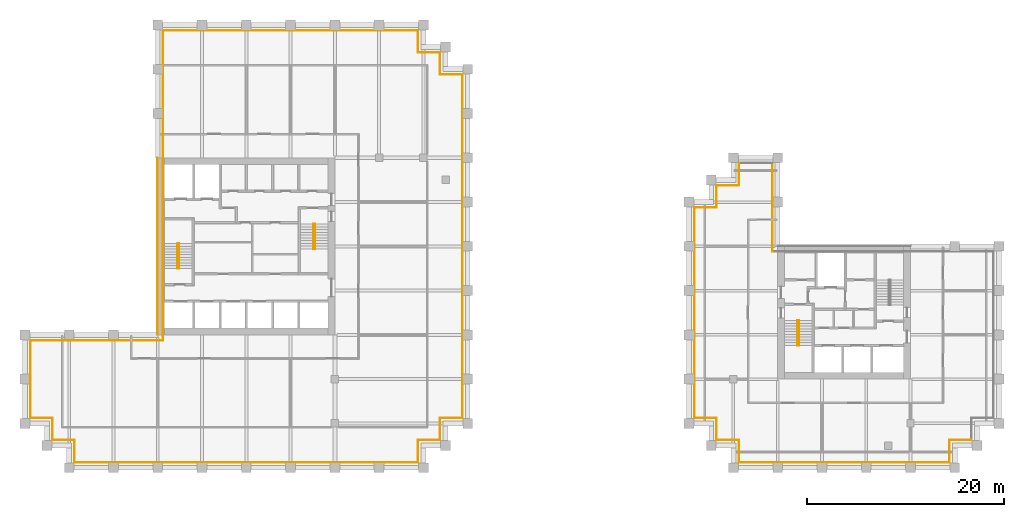
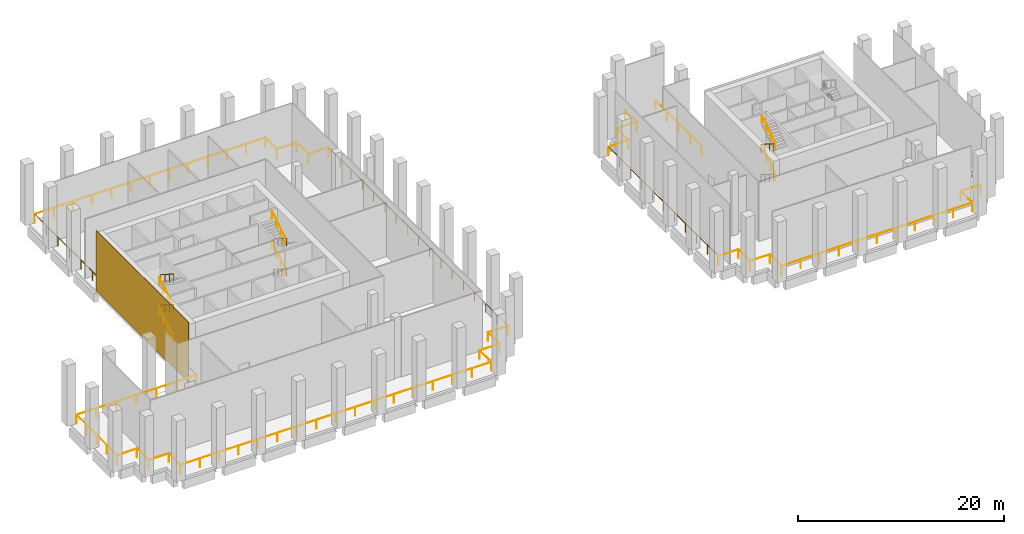
# One storey, part 8 of 9: 43 railings, 1 covering.
"""IFC4 building model written with IfcOpenShell, lengths in metres."""

from ifc_helpers import new_model, si_unit, direction, frame, origin, origin_2d, place, context, subcontext, project, spatial, rectangle, circle, extrude, source, transform, mapped, material, layer, layer_set, type_object, element, save


model = new_model("IFC4")

# Units and contexts
model_context = context("Model", 3, precision=1e-05, world=origin(), true_north=direction((0.0, 1.0)))
body_context = subcontext(model_context, "Body", "Model", "MODEL_VIEW")
ifc_project = project(units=[si_unit("LENGTHUNIT", "METRE"), si_unit("AREAUNIT", "SQUARE_METRE"), si_unit("VOLUMEUNIT", "CUBIC_METRE"), si_unit("PLANEANGLEUNIT", "RADIAN"), si_unit("MASSUNIT", "GRAM", prefix="KILO")], contexts=[model_context])

# Site, building, storey
site_placement = place(None, origin())
site = spatial("IfcSite", under=ifc_project, at=site_placement, CompositionType="ELEMENT")
building_placement = place(site_placement, origin())
building = spatial("IfcBuilding", under=site, at=building_placement, Name="Altepetl Exchange Towers", CompositionType="ELEMENT")
storey_placement = place(building_placement, frame((0.0, 0.0, 113.60009765625)))
storey = spatial("IfcBuildingStorey", under=building, at=storey_placement, Name="L28 Wind floor plant", CompositionType="ELEMENT", Elevation=113.60009765625)

# Covering
ifc_material_1 = material(Name="Cantera limestone cladding", Category="masonry")
ifc_layer = layer(ifc_material_1, 0.0400390625)
ifc_layer_set = layer_set([ifc_layer], Name="Cantera limestone cladding")
covering_type = type_object("IfcCoveringType", Name="Stone panel 40 cantera", PredefinedType="CLADDING", material=ifc_layer_set)
covering_placement = place(storey_placement, frame((40.47998046875, 49.5, 0.0), z_axis=(0.0, 0.0, 1.0), x_axis=(0.0, -1.0, 0.0)))
element("IfcCovering", 1, at=covering_placement, inside=storey, type_object=covering_type, Name="Stone cladding panel", PredefinedType="CLADDING", context=body_context, shape_type="SweptSolid", body=[
    extrude(rectangle(XDim=18.0, YDim=0.0400390625, at=origin_2d()), origin(), (0.0, 0.0, 1.0), 7.199951171875),
])

# Railings
ifc_material_2 = material(Name="Steel S355", Category="steel")
railing_type_1 = type_object("IfcRailingType", Name="Guard 1100 steel posts and rail", PredefinedType="GUARDRAIL", material=ifc_material_2)
shared_shape_1 = source(origin(), body_context, "Body", "SweptSolid", [
    extrude(circle(Radius=0.02099609375, at=origin_2d()), origin(), (0.0, 0.0, 1.0), 1.052001953125),
])
railing_1_placement = place(storey_placement, frame((41.050048828125, 39.949951171875, 0.0)))
element("IfcRailing", 2, at=railing_1_placement, inside=storey, type_object=railing_type_1, Name="Edge guard", PredefinedType="GUARDRAIL", context=body_context, shape_type="SweptSolid", body=[
    extrude(circle(Radius=0.02392578125, at=origin_2d()), frame((0.0, 0.0, 1.076171875), z_axis=(-1.0, 0.0, 0.0), x_axis=(0.0, -1.0, 0.0)), (0.0, 0.0, 1.0), 13.5),
    mapped(shared_shape_1, transform((0.0, 0.0, 0.0))),
    mapped(shared_shape_1, transform((-2.25, 0.0, 0.0))),
    mapped(shared_shape_1, transform((-4.5, 0.0, 0.0))),
    mapped(shared_shape_1, transform((-6.75, 0.0, 0.0))),
    mapped(shared_shape_1, transform((-9.0, 0.0, 0.0))),
    mapped(shared_shape_1, transform((-11.25, 0.0, 0.0))),
    mapped(shared_shape_1, transform((-13.5, 0.0, 0.0))),
])
railing_2_placement = place(storey_placement, frame((27.550048828125, 39.949951171875, 0.0)))
element("IfcRailing", 3, at=railing_2_placement, inside=storey, type_object=railing_type_1, Name="Edge guard", PredefinedType="GUARDRAIL", context=body_context, shape_type="SweptSolid", body=[
    extrude(circle(Radius=0.02392578125, at=origin_2d()), frame((0.0, 0.0, 1.076171875), z_axis=(0.0, -1.0, 0.0), x_axis=(1.0, 0.0, 0.0)), (0.0, 0.0, 1.0), 7.89990234375),
    mapped(shared_shape_1, transform((0.0, 0.0, 0.0))),
    mapped(shared_shape_1, transform((0.0, -1.97509765625, 0.0))),
    mapped(shared_shape_1, transform((0.0, -3.949951171875, 0.0))),
    mapped(shared_shape_1, transform((0.0, -5.9248046875, 0.0))),
    mapped(shared_shape_1, transform((0.0, -7.89990234375, 0.0))),
])
railing_3_placement = place(storey_placement, frame((27.550048828125, 32.050048828125, 0.0)))
element("IfcRailing", 4, at=railing_3_placement, inside=storey, type_object=railing_type_1, Name="Edge guard", PredefinedType="GUARDRAIL", context=body_context, shape_type="SweptSolid", body=[
    extrude(circle(Radius=0.02392578125, at=origin_2d()), frame((0.0, 0.0, 1.076171875), z_axis=(1.0, 0.0, 0.0), x_axis=(0.0, 1.0, 0.0)), (0.0, 0.0, 1.0), 2.25),
    mapped(shared_shape_1, transform((0.0, 0.0, 0.0))),
    mapped(shared_shape_1, transform((2.25, 0.0, 0.0))),
])
railing_4_placement = place(storey_placement, frame((29.800048828125, 32.050048828125, 0.0)))
element("IfcRailing", 5, at=railing_4_placement, inside=storey, type_object=railing_type_1, Name="Edge guard", PredefinedType="GUARDRAIL", context=body_context, shape_type="SweptSolid", body=[
    extrude(circle(Radius=0.02392578125, at=origin_2d()), frame((0.0, 0.0, 1.076171875), z_axis=(0.0, -1.0, 0.0), x_axis=(1.0, 0.0, 0.0)), (0.0, 0.0, 1.0), 2.25),
    mapped(shared_shape_1, transform((0.0, 0.0, 0.0))),
    mapped(shared_shape_1, transform((0.0, -2.25, 0.0))),
])
railing_5_placement = place(storey_placement, frame((29.800048828125, 29.800048828125, 0.0)))
element("IfcRailing", 6, at=railing_5_placement, inside=storey, type_object=railing_type_1, Name="Edge guard", PredefinedType="GUARDRAIL", context=body_context, shape_type="SweptSolid", body=[
    extrude(circle(Radius=0.02392578125, at=origin_2d()), frame((0.0, 0.0, 1.076171875), z_axis=(1.0, 0.0, 0.0), x_axis=(0.0, 1.0, 0.0)), (0.0, 0.0, 1.0), 2.25),
    mapped(shared_shape_1, transform((0.0, 0.0, 0.0))),
    mapped(shared_shape_1, transform((2.25, 0.0, 0.0))),
])
railing_6_placement = place(storey_placement, frame((32.050048828125, 29.800048828125, 0.0)))
element("IfcRailing", 7, at=railing_6_placement, inside=storey, type_object=railing_type_1, Name="Edge guard", PredefinedType="GUARDRAIL", context=body_context, shape_type="SweptSolid", body=[
    extrude(circle(Radius=0.02392578125, at=origin_2d()), frame((0.0, 0.0, 1.076171875), z_axis=(0.0, -1.0, 0.0), x_axis=(1.0, 0.0, 0.0)), (0.0, 0.0, 1.0), 2.25),
    mapped(shared_shape_1, transform((0.0, 0.0, 0.0))),
    mapped(shared_shape_1, transform((0.0, -2.25, 0.0))),
])
railing_7_placement = place(storey_placement, frame((32.050048828125, 27.550048828125, 0.0)))
element("IfcRailing", 8, at=railing_7_placement, inside=storey, type_object=railing_type_1, Name="Edge guard", PredefinedType="GUARDRAIL", context=body_context, shape_type="SweptSolid", body=[
    extrude(circle(Radius=0.02392578125, at=origin_2d()), frame((0.0, 0.0, 1.076171875), z_axis=(1.0, 0.0, 0.0), x_axis=(0.0, 1.0, 0.0)), (0.0, 0.0, 1.0), 34.89990234375),
    mapped(shared_shape_1, transform((0.0, 0.0, 0.0))),
    mapped(shared_shape_1, transform((2.18115234375, 0.0, 0.0))),
    mapped(shared_shape_1, transform((4.362548828125, 0.0, 0.0))),
    mapped(shared_shape_1, transform((6.543701171875, 0.0, 0.0))),
    mapped(shared_shape_1, transform((8.72509765625, 0.0, 0.0))),
    mapped(shared_shape_1, transform((10.90625, 0.0, 0.0))),
    mapped(shared_shape_1, transform((13.08740234375, 0.0, 0.0))),
    mapped(shared_shape_1, transform((15.268798828125, 0.0, 0.0))),
    mapped(shared_shape_1, transform((17.449951171875, 0.0, 0.0))),
    mapped(shared_shape_1, transform((19.631103515625, 0.0, 0.0))),
    mapped(shared_shape_1, transform((21.8125, 0.0, 0.0))),
    mapped(shared_shape_1, transform((23.99365234375, 0.0, 0.0))),
    mapped(shared_shape_1, transform((26.1748046875, 0.0, 0.0))),
    mapped(shared_shape_1, transform((28.356201171875, 0.0, 0.0))),
    mapped(shared_shape_1, transform((30.537353515625, 0.0, 0.0))),
    mapped(shared_shape_1, transform((32.71875, 0.0, 0.0))),
    mapped(shared_shape_1, transform((34.89990234375, 0.0, 0.0))),
])
railing_8_placement = place(storey_placement, frame((66.949951171875, 27.550048828125, 0.0)))
element("IfcRailing", 9, at=railing_8_placement, inside=storey, type_object=railing_type_1, Name="Edge guard", PredefinedType="GUARDRAIL", context=body_context, shape_type="SweptSolid", body=[
    extrude(circle(Radius=0.02392578125, at=origin_2d()), frame((0.0, 0.0, 1.076171875), z_axis=(0.0, 1.0, 0.0), x_axis=(-1.0, 0.0, 0.0)), (0.0, 0.0, 1.0), 2.25),
    mapped(shared_shape_1, transform((0.0, 0.0, 0.0))),
    mapped(shared_shape_1, transform((0.0, 2.25, 0.0))),
])
railing_9_placement = place(storey_placement, frame((66.949951171875, 29.800048828125, 0.0)))
element("IfcRailing", 10, at=railing_9_placement, inside=storey, type_object=railing_type_1, Name="Edge guard", PredefinedType="GUARDRAIL", context=body_context, shape_type="SweptSolid", body=[
    extrude(circle(Radius=0.02392578125, at=origin_2d()), frame((0.0, 0.0, 1.076171875), z_axis=(1.0, 0.0, 0.0), x_axis=(0.0, 1.0, 0.0)), (0.0, 0.0, 1.0), 2.25),
    mapped(shared_shape_1, transform((0.0, 0.0, 0.0))),
    mapped(shared_shape_1, transform((2.25, 0.0, 0.0))),
])
railing_10_placement = place(storey_placement, frame((69.199951171875, 29.800048828125, 0.0)))
element("IfcRailing", 11, at=railing_10_placement, inside=storey, type_object=railing_type_1, Name="Edge guard", PredefinedType="GUARDRAIL", context=body_context, shape_type="SweptSolid", body=[
    extrude(circle(Radius=0.02392578125, at=origin_2d()), frame((0.0, 0.0, 1.076171875), z_axis=(0.0, 1.0, 0.0), x_axis=(-1.0, 0.0, 0.0)), (0.0, 0.0, 1.0), 2.25),
    mapped(shared_shape_1, transform((0.0, 0.0, 0.0))),
    mapped(shared_shape_1, transform((0.0, 2.25, 0.0))),
])
railing_11_placement = place(storey_placement, frame((69.199951171875, 32.050048828125, 0.0)))
element("IfcRailing", 12, at=railing_11_placement, inside=storey, type_object=railing_type_1, Name="Edge guard", PredefinedType="GUARDRAIL", context=body_context, shape_type="SweptSolid", body=[
    extrude(circle(Radius=0.02392578125, at=origin_2d()), frame((0.0, 0.0, 1.076171875), z_axis=(1.0, 0.0, 0.0), x_axis=(0.0, 1.0, 0.0)), (0.0, 0.0, 1.0), 2.25),
    mapped(shared_shape_1, transform((0.0, 0.0, 0.0))),
    mapped(shared_shape_1, transform((2.25, 0.0, 0.0))),
])
railing_12_placement = place(storey_placement, frame((71.449951171875, 32.050048828125, 0.0)))
element("IfcRailing", 13, at=railing_12_placement, inside=storey, type_object=railing_type_1, Name="Edge guard", PredefinedType="GUARDRAIL", context=body_context, shape_type="SweptSolid", body=[
    extrude(circle(Radius=0.02392578125, at=origin_2d()), frame((0.0, 0.0, 1.076171875), z_axis=(0.0, 1.0, 0.0), x_axis=(-1.0, 0.0, 0.0)), (0.0, 0.0, 1.0), 34.89990234375),
    mapped(shared_shape_1, transform((0.0, 0.0, 0.0))),
    mapped(shared_shape_1, transform((0.0, 2.18115234375, 0.0))),
    mapped(shared_shape_1, transform((0.0, 4.362548828125, 0.0))),
    mapped(shared_shape_1, transform((0.0, 6.543701171875, 0.0))),
    mapped(shared_shape_1, transform((0.0, 8.72509765625, 0.0))),
    mapped(shared_shape_1, transform((0.0, 10.90625, 0.0))),
    mapped(shared_shape_1, transform((0.0, 13.08740234375, 0.0))),
    mapped(shared_shape_1, transform((0.0, 15.268798828125, 0.0))),
    mapped(shared_shape_1, transform((0.0, 17.449951171875, 0.0))),
    mapped(shared_shape_1, transform((0.0, 19.631103515625, 0.0))),
    mapped(shared_shape_1, transform((0.0, 21.8125, 0.0))),
    mapped(shared_shape_1, transform((0.0, 23.99365234375, 0.0))),
    mapped(shared_shape_1, transform((0.0, 26.1748046875, 0.0))),
    mapped(shared_shape_1, transform((0.0, 28.356201171875, 0.0))),
    mapped(shared_shape_1, transform((0.0, 30.537353515625, 0.0))),
    mapped(shared_shape_1, transform((0.0, 32.71875, 0.0))),
    mapped(shared_shape_1, transform((0.0, 34.89990234375, 0.0))),
])
railing_13_placement = place(storey_placement, frame((71.449951171875, 66.949951171875, 0.0)))
element("IfcRailing", 14, at=railing_13_placement, inside=storey, type_object=railing_type_1, Name="Edge guard", PredefinedType="GUARDRAIL", context=body_context, shape_type="SweptSolid", body=[
    extrude(circle(Radius=0.02392578125, at=origin_2d()), frame((0.0, 0.0, 1.076171875), z_axis=(-1.0, 0.0, 0.0), x_axis=(0.0, -1.0, 0.0)), (0.0, 0.0, 1.0), 2.25),
    mapped(shared_shape_1, transform((0.0, 0.0, 0.0))),
    mapped(shared_shape_1, transform((-2.25, 0.0, 0.0))),
])
railing_14_placement = place(storey_placement, frame((69.199951171875, 66.949951171875, 0.0)))
element("IfcRailing", 15, at=railing_14_placement, inside=storey, type_object=railing_type_1, Name="Edge guard", PredefinedType="GUARDRAIL", context=body_context, shape_type="SweptSolid", body=[
    extrude(circle(Radius=0.02392578125, at=origin_2d()), frame((0.0, 0.0, 1.076171875), z_axis=(0.0, 1.0, 0.0), x_axis=(-1.0, 0.0, 0.0)), (0.0, 0.0, 1.0), 2.25),
    mapped(shared_shape_1, transform((0.0, 0.0, 0.0))),
    mapped(shared_shape_1, transform((0.0, 2.25, 0.0))),
])
railing_15_placement = place(storey_placement, frame((69.199951171875, 69.199951171875, 0.0)))
element("IfcRailing", 16, at=railing_15_placement, inside=storey, type_object=railing_type_1, Name="Edge guard", PredefinedType="GUARDRAIL", context=body_context, shape_type="SweptSolid", body=[
    extrude(circle(Radius=0.02392578125, at=origin_2d()), frame((0.0, 0.0, 1.076171875), z_axis=(-1.0, 0.0, 0.0), x_axis=(0.0, -1.0, 0.0)), (0.0, 0.0, 1.0), 2.25),
    mapped(shared_shape_1, transform((0.0, 0.0, 0.0))),
    mapped(shared_shape_1, transform((-2.25, 0.0, 0.0))),
])
railing_16_placement = place(storey_placement, frame((66.949951171875, 69.199951171875, 0.0)))
element("IfcRailing", 17, at=railing_16_placement, inside=storey, type_object=railing_type_1, Name="Edge guard", PredefinedType="GUARDRAIL", context=body_context, shape_type="SweptSolid", body=[
    extrude(circle(Radius=0.02392578125, at=origin_2d()), frame((0.0, 0.0, 1.076171875), z_axis=(0.0, 1.0, 0.0), x_axis=(-1.0, 0.0, 0.0)), (0.0, 0.0, 1.0), 2.25),
    mapped(shared_shape_1, transform((0.0, 0.0, 0.0))),
    mapped(shared_shape_1, transform((0.0, 2.25, 0.0))),
])
railing_17_placement = place(storey_placement, frame((66.949951171875, 71.449951171875, 0.0)))
element("IfcRailing", 18, at=railing_17_placement, inside=storey, type_object=railing_type_1, Name="Edge guard", PredefinedType="GUARDRAIL", context=body_context, shape_type="SweptSolid", body=[
    extrude(circle(Radius=0.02392578125, at=origin_2d()), frame((0.0, 0.0, 1.076171875), z_axis=(-1.0, 0.0, 0.0), x_axis=(0.0, -1.0, 0.0)), (0.0, 0.0, 1.0), 25.89990234375),
    mapped(shared_shape_1, transform((0.0, 0.0, 0.0))),
    mapped(shared_shape_1, transform((-2.158203125, 0.0, 0.0))),
    mapped(shared_shape_1, transform((-4.316650390625, 0.0, 0.0))),
    mapped(shared_shape_1, transform((-6.47509765625, 0.0, 0.0))),
    mapped(shared_shape_1, transform((-8.63330078125, 0.0, 0.0))),
    mapped(shared_shape_1, transform((-10.79150390625, 0.0, 0.0))),
    mapped(shared_shape_1, transform((-12.949951171875, 0.0, 0.0))),
    mapped(shared_shape_1, transform((-15.1083984375, 0.0, 0.0))),
    mapped(shared_shape_1, transform((-17.2666015625, 0.0, 0.0))),
    mapped(shared_shape_1, transform((-19.4248046875, 0.0, 0.0))),
    mapped(shared_shape_1, transform((-21.583251953125, 0.0, 0.0))),
    mapped(shared_shape_1, transform((-23.74169921875, 0.0, 0.0))),
    mapped(shared_shape_1, transform((-25.89990234375, 0.0, 0.0))),
])
railing_18_placement = place(storey_placement, frame((41.050048828125, 71.449951171875, 0.0)))
element("IfcRailing", 19, at=railing_18_placement, inside=storey, type_object=railing_type_1, Name="Edge guard", PredefinedType="GUARDRAIL", context=body_context, shape_type="SweptSolid", body=[
    extrude(circle(Radius=0.02392578125, at=origin_2d()), frame((0.0, 0.0, 1.076171875), z_axis=(0.0, -1.0, 0.0), x_axis=(1.0, 0.0, 0.0)), (0.0, 0.0, 1.0), 31.5),
    mapped(shared_shape_1, transform((0.0, 0.0, 0.0))),
    mapped(shared_shape_1, transform((0.0, -2.25, 0.0))),
    mapped(shared_shape_1, transform((0.0, -4.5, 0.0))),
    mapped(shared_shape_1, transform((0.0, -6.75, 0.0))),
    mapped(shared_shape_1, transform((0.0, -9.0, 0.0))),
    mapped(shared_shape_1, transform((0.0, -11.25, 0.0))),
    mapped(shared_shape_1, transform((0.0, -13.5, 0.0))),
    mapped(shared_shape_1, transform((0.0, -15.75, 0.0))),
    mapped(shared_shape_1, transform((0.0, -18.0, 0.0))),
    mapped(shared_shape_1, transform((0.0, -20.25, 0.0))),
    mapped(shared_shape_1, transform((0.0, -22.5, 0.0))),
    mapped(shared_shape_1, transform((0.0, -24.75, 0.0))),
    mapped(shared_shape_1, transform((0.0, -27.0, 0.0))),
    mapped(shared_shape_1, transform((0.0, -29.25, 0.0))),
    mapped(shared_shape_1, transform((0.0, -31.5, 0.0))),
])
railing_19_placement = place(storey_placement, frame((95.050048828125, 53.449951171875, 0.0)))
element("IfcRailing", 20, at=railing_19_placement, inside=storey, type_object=railing_type_1, Name="Edge guard", PredefinedType="GUARDRAIL", context=body_context, shape_type="SweptSolid", body=[
    extrude(circle(Radius=0.02392578125, at=origin_2d()), frame((0.0, 0.0, 1.076171875), z_axis=(0.0, -1.0, 0.0), x_axis=(1.0, 0.0, 0.0)), (0.0, 0.0, 1.0), 21.39990234375),
    mapped(shared_shape_1, transform((0.0, 0.0, 0.0))),
    mapped(shared_shape_1, transform((0.0, -2.139892578125, 0.0))),
    mapped(shared_shape_1, transform((0.0, -4.280029296875, 0.0))),
    mapped(shared_shape_1, transform((0.0, -6.419921875, 0.0))),
    mapped(shared_shape_1, transform((0.0, -8.56005859375, 0.0))),
    mapped(shared_shape_1, transform((0.0, -10.699951171875, 0.0))),
    mapped(shared_shape_1, transform((0.0, -12.83984375, 0.0))),
    mapped(shared_shape_1, transform((0.0, -14.97998046875, 0.0))),
    mapped(shared_shape_1, transform((0.0, -17.119873046875, 0.0))),
    mapped(shared_shape_1, transform((0.0, -19.260009765625, 0.0))),
    mapped(shared_shape_1, transform((0.0, -21.39990234375, 0.0))),
])
railing_20_placement = place(storey_placement, frame((95.050048828125, 32.050048828125, 0.0)))
element("IfcRailing", 21, at=railing_20_placement, inside=storey, type_object=railing_type_1, Name="Edge guard", PredefinedType="GUARDRAIL", context=body_context, shape_type="SweptSolid", body=[
    extrude(circle(Radius=0.02392578125, at=origin_2d()), frame((0.0, 0.0, 1.076171875), z_axis=(1.0, 0.0, 0.0), x_axis=(0.0, 1.0, 0.0)), (0.0, 0.0, 1.0), 2.25),
    mapped(shared_shape_1, transform((0.0, 0.0, 0.0))),
    mapped(shared_shape_1, transform((2.25, 0.0, 0.0))),
])
railing_21_placement = place(storey_placement, frame((97.300048828125, 32.050048828125, 0.0)))
element("IfcRailing", 22, at=railing_21_placement, inside=storey, type_object=railing_type_1, Name="Edge guard", PredefinedType="GUARDRAIL", context=body_context, shape_type="SweptSolid", body=[
    extrude(circle(Radius=0.02392578125, at=origin_2d()), frame((0.0, 0.0, 1.076171875), z_axis=(0.0, -1.0, 0.0), x_axis=(1.0, 0.0, 0.0)), (0.0, 0.0, 1.0), 2.25),
    mapped(shared_shape_1, transform((0.0, 0.0, 0.0))),
    mapped(shared_shape_1, transform((0.0, -2.25, 0.0))),
])
railing_22_placement = place(storey_placement, frame((97.300048828125, 29.800048828125, 0.0)))
element("IfcRailing", 23, at=railing_22_placement, inside=storey, type_object=railing_type_1, Name="Edge guard", PredefinedType="GUARDRAIL", context=body_context, shape_type="SweptSolid", body=[
    extrude(circle(Radius=0.02392578125, at=origin_2d()), frame((0.0, 0.0, 1.076171875), z_axis=(1.0, 0.0, 0.0), x_axis=(0.0, 1.0, 0.0)), (0.0, 0.0, 1.0), 2.25),
    mapped(shared_shape_1, transform((0.0, 0.0, 0.0))),
    mapped(shared_shape_1, transform((2.25, 0.0, 0.0))),
])
railing_23_placement = place(storey_placement, frame((99.550048828125, 29.800048828125, 0.0)))
element("IfcRailing", 24, at=railing_23_placement, inside=storey, type_object=railing_type_1, Name="Edge guard", PredefinedType="GUARDRAIL", context=body_context, shape_type="SweptSolid", body=[
    extrude(circle(Radius=0.02392578125, at=origin_2d()), frame((0.0, 0.0, 1.076171875), z_axis=(0.0, -1.0, 0.0), x_axis=(1.0, 0.0, 0.0)), (0.0, 0.0, 1.0), 2.25),
    mapped(shared_shape_1, transform((0.0, 0.0, 0.0))),
    mapped(shared_shape_1, transform((0.0, -2.25, 0.0))),
])
railing_24_placement = place(storey_placement, frame((99.550048828125, 27.550048828125, 0.0)))
element("IfcRailing", 25, at=railing_24_placement, inside=storey, type_object=railing_type_1, Name="Edge guard", PredefinedType="GUARDRAIL", context=body_context, shape_type="SweptSolid", body=[
    extrude(circle(Radius=0.02392578125, at=origin_2d()), frame((0.0, 0.0, 1.076171875), z_axis=(1.0, 0.0, 0.0), x_axis=(0.0, 1.0, 0.0)), (0.0, 0.0, 1.0), 21.39990234375),
    mapped(shared_shape_1, transform((0.0, 0.0, 0.0))),
    mapped(shared_shape_1, transform((2.139892578125, 0.0, 0.0))),
    mapped(shared_shape_1, transform((4.280029296875, 0.0, 0.0))),
    mapped(shared_shape_1, transform((6.419921875, 0.0, 0.0))),
    mapped(shared_shape_1, transform((8.56005859375, 0.0, 0.0))),
    mapped(shared_shape_1, transform((10.699951171875, 0.0, 0.0))),
    mapped(shared_shape_1, transform((12.83984375, 0.0, 0.0))),
    mapped(shared_shape_1, transform((14.97998046875, 0.0, 0.0))),
    mapped(shared_shape_1, transform((17.119873046875, 0.0, 0.0))),
    mapped(shared_shape_1, transform((19.260009765625, 0.0, 0.0))),
    mapped(shared_shape_1, transform((21.39990234375, 0.0, 0.0))),
])
railing_25_placement = place(storey_placement, frame((120.949951171875, 27.550048828125, 0.0)))
element("IfcRailing", 26, at=railing_25_placement, inside=storey, type_object=railing_type_1, Name="Edge guard", PredefinedType="GUARDRAIL", context=body_context, shape_type="SweptSolid", body=[
    extrude(circle(Radius=0.02392578125, at=origin_2d()), frame((0.0, 0.0, 1.076171875), z_axis=(0.0, 1.0, 0.0), x_axis=(-1.0, 0.0, 0.0)), (0.0, 0.0, 1.0), 2.25),
    mapped(shared_shape_1, transform((0.0, 0.0, 0.0))),
    mapped(shared_shape_1, transform((0.0, 2.25, 0.0))),
])
railing_26_placement = place(storey_placement, frame((120.949951171875, 29.800048828125, 0.0)))
element("IfcRailing", 27, at=railing_26_placement, inside=storey, type_object=railing_type_1, Name="Edge guard", PredefinedType="GUARDRAIL", context=body_context, shape_type="SweptSolid", body=[
    extrude(circle(Radius=0.02392578125, at=origin_2d()), frame((0.0, 0.0, 1.076171875), z_axis=(1.0, 0.0, 0.0), x_axis=(0.0, 1.0, 0.0)), (0.0, 0.0, 1.0), 2.25),
    mapped(shared_shape_1, transform((0.0, 0.0, 0.0))),
    mapped(shared_shape_1, transform((2.25, 0.0, 0.0))),
])
railing_27_placement = place(storey_placement, frame((102.949951171875, 48.949951171875, 0.0)))
element("IfcRailing", 28, at=railing_27_placement, inside=storey, type_object=railing_type_1, Name="Edge guard", PredefinedType="GUARDRAIL", context=body_context, shape_type="SweptSolid", body=[
    extrude(circle(Radius=0.02392578125, at=origin_2d()), frame((0.0, 0.0, 1.076171875), z_axis=(0.0, 1.0, 0.0), x_axis=(-1.0, 0.0, 0.0)), (0.0, 0.0, 1.0), 9.0),
    mapped(shared_shape_1, transform((0.0, 0.0, 0.0))),
    mapped(shared_shape_1, transform((0.0, 2.25, 0.0))),
    mapped(shared_shape_1, transform((0.0, 4.5, 0.0))),
    mapped(shared_shape_1, transform((0.0, 6.75, 0.0))),
    mapped(shared_shape_1, transform((0.0, 9.0, 0.0))),
])
railing_28_placement = place(storey_placement, frame((99.550048828125, 57.949951171875, 0.0)))
element("IfcRailing", 29, at=railing_28_placement, inside=storey, type_object=railing_type_1, Name="Edge guard", PredefinedType="GUARDRAIL", context=body_context, shape_type="SweptSolid", body=[
    extrude(circle(Radius=0.02392578125, at=origin_2d()), frame((0.0, 0.0, 1.076171875), z_axis=(0.0, -1.0, 0.0), x_axis=(1.0, 0.0, 0.0)), (0.0, 0.0, 1.0), 2.25),
    mapped(shared_shape_1, transform((0.0, 0.0, 0.0))),
    mapped(shared_shape_1, transform((0.0, -2.25, 0.0))),
])
railing_29_placement = place(storey_placement, frame((99.550048828125, 55.699951171875, 0.0)))
element("IfcRailing", 30, at=railing_29_placement, inside=storey, type_object=railing_type_1, Name="Edge guard", PredefinedType="GUARDRAIL", context=body_context, shape_type="SweptSolid", body=[
    extrude(circle(Radius=0.02392578125, at=origin_2d()), frame((0.0, 0.0, 1.076171875), z_axis=(-1.0, 0.0, 0.0), x_axis=(0.0, -1.0, 0.0)), (0.0, 0.0, 1.0), 2.25),
    mapped(shared_shape_1, transform((0.0, 0.0, 0.0))),
    mapped(shared_shape_1, transform((-2.25, 0.0, 0.0))),
])
railing_30_placement = place(storey_placement, frame((97.300048828125, 55.699951171875, 0.0)))
element("IfcRailing", 31, at=railing_30_placement, inside=storey, type_object=railing_type_1, Name="Edge guard", PredefinedType="GUARDRAIL", context=body_context, shape_type="SweptSolid", body=[
    extrude(circle(Radius=0.02392578125, at=origin_2d()), frame((0.0, 0.0, 1.076171875), z_axis=(0.0, -1.0, 0.0), x_axis=(1.0, 0.0, 0.0)), (0.0, 0.0, 1.0), 2.25),
    mapped(shared_shape_1, transform((0.0, 0.0, 0.0))),
    mapped(shared_shape_1, transform((0.0, -2.25, 0.0))),
])
railing_31_placement = place(storey_placement, frame((97.300048828125, 53.449951171875, 0.0)))
element("IfcRailing", 32, at=railing_31_placement, inside=storey, type_object=railing_type_1, Name="Edge guard", PredefinedType="GUARDRAIL", context=body_context, shape_type="SweptSolid", body=[
    extrude(circle(Radius=0.02392578125, at=origin_2d()), frame((0.0, 0.0, 1.076171875), z_axis=(-1.0, 0.0, 0.0), x_axis=(0.0, -1.0, 0.0)), (0.0, 0.0, 1.0), 2.25),
    mapped(shared_shape_1, transform((0.0, 0.0, 0.0))),
    mapped(shared_shape_1, transform((-2.25, 0.0, 0.0))),
])
ifc_material_3 = material(Name="Steel", Category="steel")
railing_type_2 = type_object("IfcRailingType", Name="Stair handrail 50 steel tube", PredefinedType="HANDRAIL", material=ifc_material_3)
shared_shape_2 = source(origin(), body_context, "Body", "SweptSolid", [
    extrude(circle(Radius=0.02099609375, at=origin_2d()), origin(), (0.0, 0.0, 1.0), 0.851806640625),
])
railing_32_placement = place(storey_placement, frame((42.52001953125, 47.25, 0.179931640625)))
element("IfcRailing", 33, at=railing_32_placement, inside=storey, type_object=railing_type_2, Name="Stair handrail", PredefinedType="HANDRAIL", context=body_context, shape_type="SweptSolid", body=[
    extrude(circle(Radius=0.02392578125, at=origin_2d()), frame((0.0, 0.0, 0.8759765625), z_axis=(0.0, 0.841199657755, 0.540724639528), x_axis=(-1.0, 0.0, 0.0)), (0.0, 0.0, 1.0), 2.995849609375),
    mapped(shared_shape_2, transform((0.0, 0.0, 0.0))),
    mapped(shared_shape_2, transform((0.0, 0.840087890625, 0.5400390625))),
    mapped(shared_shape_2, transform((0.0, 1.679931640625, 1.079833984375))),
    mapped(shared_shape_2, transform((0.0, 2.52001953125, 1.619873046875))),
])
railing_33_placement = place(storey_placement, frame((42.679931640625, 49.77001953125, 1.97998046875)))
element("IfcRailing", 34, at=railing_33_placement, inside=storey, type_object=railing_type_2, Name="Stair handrail", PredefinedType="HANDRAIL", context=body_context, shape_type="SweptSolid", body=[
    extrude(circle(Radius=0.02392578125, at=origin_2d()), frame((0.0, 0.0, 0.8759765625), z_axis=(0.0, -0.841199657755, 0.540724639528), x_axis=(1.0, 0.0, 0.0)), (0.0, 0.0, 1.0), 2.995849609375),
    mapped(shared_shape_2, transform((0.0, 0.0, 0.0))),
    mapped(shared_shape_2, transform((0.0, -0.840087890625, 0.5400390625))),
    mapped(shared_shape_2, transform((0.0, -1.679931640625, 1.079833984375))),
    mapped(shared_shape_2, transform((0.0, -2.52001953125, 1.619873046875))),
])
railing_34_placement = place(storey_placement, frame((42.52001953125, 47.25, 3.77978515625)))
element("IfcRailing", 35, at=railing_34_placement, inside=storey, type_object=railing_type_2, Name="Stair handrail", PredefinedType="HANDRAIL", context=body_context, shape_type="SweptSolid", body=[
    extrude(circle(Radius=0.02392578125, at=origin_2d()), frame((0.0, 0.0, 0.8759765625), z_axis=(0.0, 0.841162588446, 0.540782303519), x_axis=(-1.0, 0.0, 0.0)), (0.0, 0.0, 1.0), 2.995849609375),
    mapped(shared_shape_2, transform((0.0, 0.0, 0.0))),
    mapped(shared_shape_2, transform((0.0, 0.840087890625, 0.5400390625))),
    mapped(shared_shape_2, transform((0.0, 1.679931640625, 1.080078125))),
    mapped(shared_shape_2, transform((0.0, 2.52001953125, 1.6201171875))),
])
railing_35_placement = place(storey_placement, frame((42.679931640625, 49.77001953125, 5.579833984375)))
element("IfcRailing", 36, at=railing_35_placement, inside=storey, type_object=railing_type_2, Name="Stair handrail", PredefinedType="HANDRAIL", context=body_context, shape_type="SweptSolid", body=[
    extrude(circle(Radius=0.02392578125, at=origin_2d()), frame((0.0, 0.0, 0.8759765625), z_axis=(0.0, -0.841162588446, 0.540782303519), x_axis=(1.0, 0.0, 0.0)), (0.0, 0.0, 1.0), 2.995849609375),
    mapped(shared_shape_2, transform((0.0, 0.0, 0.0))),
    mapped(shared_shape_2, transform((0.0, -0.840087890625, 0.5400390625))),
    mapped(shared_shape_2, transform((0.0, -1.679931640625, 1.080078125))),
    mapped(shared_shape_2, transform((0.0, -2.52001953125, 1.6201171875))),
])
railing_36_placement = place(storey_placement, frame((56.47998046875, 51.75, 0.179931640625)))
element("IfcRailing", 37, at=railing_36_placement, inside=storey, type_object=railing_type_2, Name="Stair handrail", PredefinedType="HANDRAIL", context=body_context, shape_type="SweptSolid", body=[
    extrude(circle(Radius=0.02392578125, at=origin_2d()), frame((0.0, 0.0, 0.8759765625), z_axis=(0.0, -0.841199657755, 0.540724639528), x_axis=(1.0, 0.0, 0.0)), (0.0, 0.0, 1.0), 2.995849609375),
    mapped(shared_shape_2, transform((0.0, 0.0, 0.0))),
    mapped(shared_shape_2, transform((0.0, -0.840087890625, 0.5400390625))),
    mapped(shared_shape_2, transform((0.0, -1.679931640625, 1.079833984375))),
    mapped(shared_shape_2, transform((0.0, -2.52001953125, 1.619873046875))),
])
railing_37_placement = place(storey_placement, frame((56.320068359375, 49.22998046875, 1.97998046875)))
element("IfcRailing", 38, at=railing_37_placement, inside=storey, type_object=railing_type_2, Name="Stair handrail", PredefinedType="HANDRAIL", context=body_context, shape_type="SweptSolid", body=[
    extrude(circle(Radius=0.02392578125, at=origin_2d()), frame((0.0, 0.0, 0.8759765625), z_axis=(0.0, 0.841199657755, 0.540724639528), x_axis=(-1.0, 0.0, 0.0)), (0.0, 0.0, 1.0), 2.995849609375),
    mapped(shared_shape_2, transform((0.0, 0.0, 0.0))),
    mapped(shared_shape_2, transform((0.0, 0.840087890625, 0.5400390625))),
    mapped(shared_shape_2, transform((0.0, 1.679931640625, 1.079833984375))),
    mapped(shared_shape_2, transform((0.0, 2.52001953125, 1.619873046875))),
])
railing_38_placement = place(storey_placement, frame((56.47998046875, 51.75, 3.77978515625)))
element("IfcRailing", 39, at=railing_38_placement, inside=storey, type_object=railing_type_2, Name="Stair handrail", PredefinedType="HANDRAIL", context=body_context, shape_type="SweptSolid", body=[
    extrude(circle(Radius=0.02392578125, at=origin_2d()), frame((0.0, 0.0, 0.8759765625), z_axis=(0.0, -0.841162588446, 0.540782303519), x_axis=(1.0, 0.0, 0.0)), (0.0, 0.0, 1.0), 2.995849609375),
    mapped(shared_shape_2, transform((0.0, 0.0, 0.0))),
    mapped(shared_shape_2, transform((0.0, -0.840087890625, 0.5400390625))),
    mapped(shared_shape_2, transform((0.0, -1.679931640625, 1.080078125))),
    mapped(shared_shape_2, transform((0.0, -2.52001953125, 1.6201171875))),
])
railing_39_placement = place(storey_placement, frame((56.320068359375, 49.22998046875, 5.579833984375)))
element("IfcRailing", 40, at=railing_39_placement, inside=storey, type_object=railing_type_2, Name="Stair handrail", PredefinedType="HANDRAIL", context=body_context, shape_type="SweptSolid", body=[
    extrude(circle(Radius=0.02392578125, at=origin_2d()), frame((0.0, 0.0, 0.8759765625), z_axis=(0.0, 0.841162588446, 0.540782303519), x_axis=(-1.0, 0.0, 0.0)), (0.0, 0.0, 1.0), 2.995849609375),
    mapped(shared_shape_2, transform((0.0, 0.0, 0.0))),
    mapped(shared_shape_2, transform((0.0, 0.840087890625, 0.5400390625))),
    mapped(shared_shape_2, transform((0.0, 1.679931640625, 1.080078125))),
    mapped(shared_shape_2, transform((0.0, 2.52001953125, 1.6201171875))),
])
railing_40_placement = place(storey_placement, frame((105.52001953125, 41.949951171875, 0.179931640625)))
element("IfcRailing", 41, at=railing_40_placement, inside=storey, type_object=railing_type_2, Name="Stair handrail", PredefinedType="HANDRAIL", context=body_context, shape_type="SweptSolid", body=[
    extrude(circle(Radius=0.02392578125, at=origin_2d()), frame((0.0, 0.0, 0.8759765625), z_axis=(0.0, -0.841199657755, 0.540724639528), x_axis=(1.0, 0.0, 0.0)), (0.0, 0.0, 1.0), 2.995849609375),
    mapped(shared_shape_2, transform((0.0, 0.0, 0.0))),
    mapped(shared_shape_2, transform((0.0, -0.840087890625, 0.5400390625))),
    mapped(shared_shape_2, transform((0.0, -1.679931640625, 1.079833984375))),
    mapped(shared_shape_2, transform((0.0, -2.52001953125, 1.619873046875))),
])
railing_41_placement = place(storey_placement, frame((105.679931640625, 39.429931640625, 1.97998046875)))
element("IfcRailing", 42, at=railing_41_placement, inside=storey, type_object=railing_type_2, Name="Stair handrail", PredefinedType="HANDRAIL", context=body_context, shape_type="SweptSolid", body=[
    extrude(circle(Radius=0.02392578125, at=origin_2d()), frame((0.0, 0.0, 0.8759765625), z_axis=(0.0, 0.841199657755, 0.540724639528), x_axis=(-1.0, 0.0, 0.0)), (0.0, 0.0, 1.0), 2.995849609375),
    mapped(shared_shape_2, transform((0.0, 0.0, 0.0))),
    mapped(shared_shape_2, transform((0.0, 0.840087890625, 0.5400390625))),
    mapped(shared_shape_2, transform((0.0, 1.679931640625, 1.079833984375))),
    mapped(shared_shape_2, transform((0.0, 2.52001953125, 1.619873046875))),
])
railing_42_placement = place(storey_placement, frame((105.52001953125, 41.949951171875, 3.77978515625)))
element("IfcRailing", 43, at=railing_42_placement, inside=storey, type_object=railing_type_2, Name="Stair handrail", PredefinedType="HANDRAIL", context=body_context, shape_type="SweptSolid", body=[
    extrude(circle(Radius=0.02392578125, at=origin_2d()), frame((0.0, 0.0, 0.8759765625), z_axis=(0.0, -0.841162588446, 0.540782303519), x_axis=(1.0, 0.0, 0.0)), (0.0, 0.0, 1.0), 2.995849609375),
    mapped(shared_shape_2, transform((0.0, 0.0, 0.0))),
    mapped(shared_shape_2, transform((0.0, -0.840087890625, 0.5400390625))),
    mapped(shared_shape_2, transform((0.0, -1.679931640625, 1.080078125))),
    mapped(shared_shape_2, transform((0.0, -2.52001953125, 1.6201171875))),
])
railing_43_placement = place(storey_placement, frame((105.679931640625, 39.429931640625, 5.579833984375)))
element("IfcRailing", 44, at=railing_43_placement, inside=storey, type_object=railing_type_2, Name="Stair handrail", PredefinedType="HANDRAIL", context=body_context, shape_type="SweptSolid", body=[
    extrude(circle(Radius=0.02392578125, at=origin_2d()), frame((0.0, 0.0, 0.8759765625), z_axis=(0.0, 0.841162588446, 0.540782303519), x_axis=(-1.0, 0.0, 0.0)), (0.0, 0.0, 1.0), 2.995849609375),
    mapped(shared_shape_2, transform((0.0, 0.0, 0.0))),
    mapped(shared_shape_2, transform((0.0, 0.840087890625, 0.5400390625))),
    mapped(shared_shape_2, transform((0.0, 1.679931640625, 1.080078125))),
    mapped(shared_shape_2, transform((0.0, 2.52001953125, 1.6201171875))),
])

save(model, "model.ifc")
